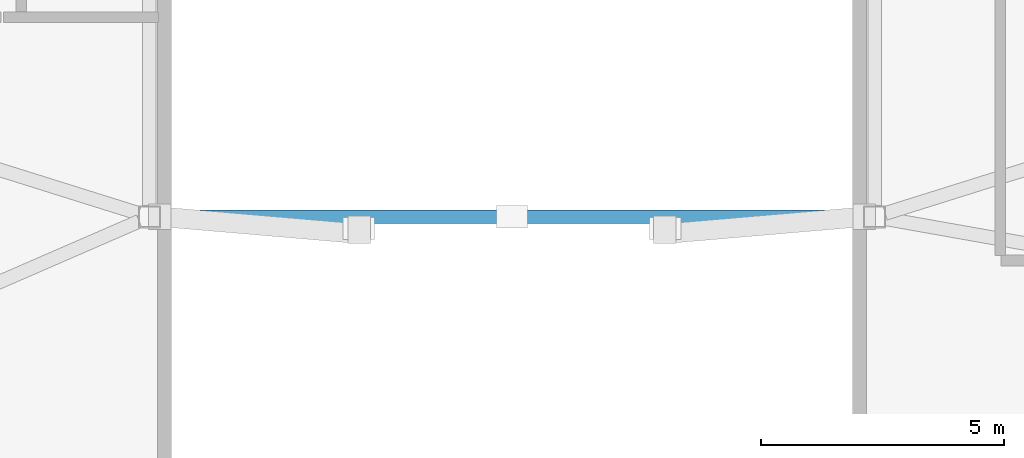
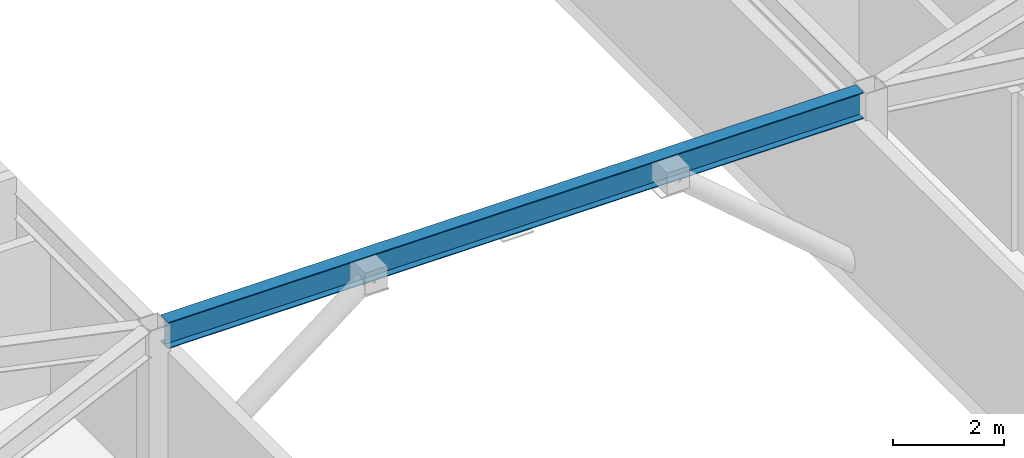
# One storey, part 4 of 16: 1 beam.
"""IFC4 building model written with IfcOpenShell, lengths in metres."""

import ifcopenshell
import ifcopenshell.guid

model = None  # the IFC model being written
_history = None  # IfcOwnerHistory: only IFC2X3 demands one
_inside = {}  # id of a spatial element -> (the spatial element, [elements in it])
_under = {}  # id of a project, library or spatial element -> (it, [spatial elements below it])
_declared = {}  # id of a project -> (the project, [libraries it declares])
_typed = {}  # id of a type object -> (the type object, [elements of that type])
_made_of = {}  # id of a material, layer set ... -> (it, [elements and type objects made of it])


def new_model(schema):
    """Start an empty IFC model of exactly this schema.

    Asked for "IFC4X3", IfcOpenShell would pick the latest addendum, in which some entities
    have other attributes; the version numbers below select the first issue.
    IFC2X3 requires an IfcOwnerHistory on every rooted entity: one is made here for all.
    """
    global model, _history
    if schema == "IFC4X3":
        model = ifcopenshell.file(schema_version=(4, 3, 0, 0))
    else:
        model = ifcopenshell.file(schema=schema)
    _inside.clear()
    _under.clear()
    _declared.clear()
    _typed.clear()
    _made_of.clear()
    _history = None
    if model.schema == "IFC2X3":
        org = make("IfcOrganization", Name="unknown")
        user = make(
            "IfcPersonAndOrganization",
            ThePerson=make("IfcPerson", FamilyName="unknown"),
            TheOrganization=org,
        )
        app = make(
            "IfcApplication",
            ApplicationDeveloper=org,
            Version="unknown",
            ApplicationFullName="unknown",
            ApplicationIdentifier="unknown",
        )
        _history = make(
            "IfcOwnerHistory",
            OwningUser=user,
            OwningApplication=app,
            ChangeAction="ADDED",
            CreationDate=0,
        )
    return model


def make(cls, **values):
    """One entity of the class cls with the attributes given. An attribute that is None is left unset."""
    return model.create_entity(
        cls, **{name: value for name, value in values.items() if value is not None}
    )


def rooted(cls, **values):
    """An entity with a GlobalId (a new one), such as an element, a storey or a relation."""
    return make(cls, GlobalId=ifcopenshell.guid.new(), OwnerHistory=_history, **values)


def si_unit(unit_type, name, prefix=None):
    """IfcSIUnit, for example si_unit("LENGTHUNIT", "METRE", prefix="MILLI")."""
    return make("IfcSIUnit", UnitType=unit_type, Prefix=prefix, Name=name)


def assignment(units):
    """IfcUnitAssignment: the units of a project."""
    return None if units is None else make("IfcUnitAssignment", Units=units)


def point(xyz):
    """IfcCartesianPoint."""
    return None if xyz is None else make("IfcCartesianPoint", Coordinates=xyz)


def direction(xyz):
    """IfcDirection."""
    return None if xyz is None else make("IfcDirection", DirectionRatios=xyz)


def frame(location, z_axis=None, x_axis=None):
    """IfcAxis2Placement3D, a coordinate frame: its origin and axes. An axis left out is left unset."""
    return make(
        "IfcAxis2Placement3D",
        Location=point(location),
        Axis=direction(z_axis),
        RefDirection=direction(x_axis),
    )


def frame_2d(location, x_axis=None):
    """IfcAxis2Placement2D, a coordinate frame in the plane: its origin and x axis."""
    return make(
        "IfcAxis2Placement2D", Location=point(location), RefDirection=direction(x_axis)
    )


def origin():
    """The frame at (0, 0, 0) with its axes left unset."""
    return frame((0.0, 0.0, 0.0))


def origin_2d():
    """The frame at (0, 0) in the plane with its x axis left unset."""
    return frame_2d((0.0, 0.0))


def place(relative_to, where):
    """IfcLocalPlacement: puts the frame where relative to a parent placement (None: the world)."""
    return make(
        "IfcLocalPlacement", PlacementRelTo=relative_to, RelativePlacement=where
    )


def context(
    kind, dimensions, precision=None, world=None, true_north=None, identifier=None
):
    """IfcGeometricRepresentationContext, for example the 3D "Model" context."""
    return make(
        "IfcGeometricRepresentationContext",
        ContextIdentifier=identifier,
        ContextType=kind,
        CoordinateSpaceDimension=dimensions,
        Precision=precision,
        WorldCoordinateSystem=world,
        TrueNorth=true_north,
    )


def subcontext(parent, identifier, kind, view, scale=None):
    """IfcGeometricRepresentationSubContext, for example "Body" below "Model"."""
    return make(
        "IfcGeometricRepresentationSubContext",
        ContextIdentifier=identifier,
        ContextType=kind,
        ParentContext=parent,
        TargetScale=scale,
        TargetView=view,
    )


def project(units=None, contexts=None):
    """IfcProject with its units and contexts."""
    return rooted(
        "IfcProject",
        Name="project",
        RepresentationContexts=contexts,
        UnitsInContext=assignment(units),
    )


def spatial(cls, under=None, at=None, **own):
    """A site, building, storey or space (cls), placed at a placement, below another one or the project."""
    s = rooted(cls, ObjectPlacement=at, **own)
    if under is not None:
        _under.setdefault(under.id(), (under, []))[1].append(s)
    return s


def profile(cls, at=None, kind="AREA", **sizes):
    """A parametric profile (cls). Its sizes go by their IFC names, for example OverallWidth=200.0."""
    return make(cls, ProfileType=kind, Position=at, **sizes)


def i_section(**sizes):
    """IfcIShapeProfileDef."""
    return profile("IfcIShapeProfileDef", **sizes)


def extrude(swept, where, along, depth):
    """IfcExtrudedAreaSolid: the profile swept, set in the frame where, extruded along a direction by depth."""
    return make(
        "IfcExtrudedAreaSolid",
        SweptArea=swept,
        Position=where,
        ExtrudedDirection=direction(along),
        Depth=depth,
    )


def shape(context_of_items, identifier, shape_type, items):
    """IfcShapeRepresentation: the items that make up one representation, for example the "Body"."""
    return make(
        "IfcShapeRepresentation",
        ContextOfItems=context_of_items,
        RepresentationIdentifier=identifier,
        RepresentationType=shape_type,
        Items=items,
    )


def material(Name=None, Category=None):
    """IfcMaterial."""
    return make("IfcMaterial", Name=Name, Category=Category)


def material_profile(
    of_material, cross_section, Name=None, Category=None, Priority=None
):
    """IfcMaterialProfile: a cross section and its material."""
    return make(
        "IfcMaterialProfile",
        Name=Name,
        Material=of_material,
        Profile=cross_section,
        Priority=Priority,
        Category=Category,
    )


def profile_set(profiles, Name=None, composite=None):
    """IfcMaterialProfileSet."""
    return make(
        "IfcMaterialProfileSet",
        Name=Name,
        MaterialProfiles=profiles,
        CompositeProfile=composite,
    )


def made_of(thing, what):
    """Note that an element or type object is made of a material, layer set ...; save() writes the relation."""
    if what is not None:
        _made_of.setdefault(what.id(), (what, []))[1].append(thing)
    return thing


def type_object(cls, material=None, **own):
    """A type object (cls), such as IfcWallType, which elements share."""
    return made_of(rooted(cls, **own), material)


def element(
    cls,
    number,
    at=None,
    inside=None,
    cuts=None,
    type_object=None,
    material=None,
    context=None,
    identifier="Body",
    shape_type=None,
    held_by="IfcProductDefinitionShape",
    body=None,
    shapes=None,
    **own,
):
    """One element of the class cls, such as IfcWall. Its Tag is "e" and its number.

    at: its placement. inside: the storey or other place that contains it. cuts: it is an
    opening in that element (IfcRelVoidsElement). A single representation is given by context,
    identifier, shape_type and body (its items); several are given by shapes. held_by: the class
    of the entity that holds the representations. save() writes the other relations.
    """
    e = rooted(cls, Tag="e%d" % number, ObjectPlacement=at, **own)
    if body is not None:
        shapes = [shape(context, identifier, shape_type, body)]
    if shapes is not None:
        e.Representation = make(held_by, Representations=shapes)
    if inside is not None:
        _inside.setdefault(inside.id(), (inside, []))[1].append(e)
    if cuts is not None:
        rooted(
            "IfcRelVoidsElement", RelatingBuildingElement=cuts, RelatedOpeningElement=e
        )
    if type_object is not None:
        _typed.setdefault(type_object.id(), (type_object, []))[1].append(e)
    return made_of(e, material)


def aggregate(whole, parts):
    """IfcRelAggregates: a whole, such as a stair, and the parts it consists of."""
    return rooted("IfcRelAggregates", RelatingObject=whole, RelatedObjects=parts)


def save(model, path):
    """Write the relations noted so far, then the file.

    IfcRelAggregates (storeys below a building ...), IfcRelContainedInSpatialStructure (elements
    in a storey), IfcRelDefinesByType, IfcRelAssociatesMaterial and IfcRelDeclares: one each for
    every whole, place, type object, material and project.
    """
    for whole, parts in _under.values():
        aggregate(whole, parts)
    for where, things in _inside.values():
        rooted(
            "IfcRelContainedInSpatialStructure",
            RelatedElements=things,
            RelatingStructure=where,
        )
    for kind, things in _typed.values():
        rooted("IfcRelDefinesByType", RelatedObjects=things, RelatingType=kind)
    for what, things in _made_of.values():
        rooted("IfcRelAssociatesMaterial", RelatedObjects=things, RelatingMaterial=what)
    for by, libraries in _declared.values():
        rooted("IfcRelDeclares", RelatingContext=by, RelatedDefinitions=libraries)
    model.write(path)


model = new_model("IFC4")

# Units and contexts
model_context = context("Model", 3, precision=1e-05, world=origin(), true_north=direction((0.0, 1.0)))
body_context = subcontext(model_context, "Body", "Model", "MODEL_VIEW")
ifc_project = project(units=[si_unit("LENGTHUNIT", "METRE"), si_unit("AREAUNIT", "SQUARE_METRE"), si_unit("VOLUMEUNIT", "CUBIC_METRE"), si_unit("PLANEANGLEUNIT", "RADIAN"), si_unit("MASSUNIT", "GRAM", prefix="KILO")], contexts=[model_context])

# Site, building, storey
site_placement = place(None, origin())
site = spatial("IfcSite", under=ifc_project, at=site_placement, CompositionType="ELEMENT")
building_placement = place(site_placement, origin())
building = spatial("IfcBuilding", under=site, at=building_placement, Name="Zuhravey Tower", CompositionType="ELEMENT")
storey_placement = place(building_placement, frame((0.0, 0.0, 370.199951171875)))
storey = spatial("IfcBuildingStorey", under=building, at=storey_placement, Name="L94", CompositionType="ELEMENT", Elevation=370.199951171875)

# Beam
ifc_material = material(Name="Steel SM355", Category="steel")
ifc_material_profile = material_profile(ifc_material, i_section(OverallWidth=0.280029296875, OverallDepth=0.580078125, WebThickness=0.011962890625, FlangeThickness=0.01904296875, at=origin_2d()), Name="H-580x280x12x19")
ifc_profile_set = profile_set([ifc_material_profile], Name="Steel SM355")
beam_type = type_object("IfcBeamType", Name="Perimeter Ring Beam H580x280", PredefinedType="BEAM", material=ifc_profile_set)
beam_placement = place(storey_placement, frame((28.780029296875, 18.0, 3.755126953125), z_axis=(1.0, 0.0, 0.0), x_axis=(0.0, 1.0, 0.0)))
element("IfcBeam", 1, at=beam_placement, inside=storey, type_object=beam_type, Name="L94 Wind-Portal Tie Girder PB4-1", PredefinedType="BEAM", context=body_context, shape_type="SweptSolid", body=[
    extrude(i_section(OverallWidth=0.280029296875, OverallDepth=0.580078125, WebThickness=0.011962890625, FlangeThickness=0.01904296875, at=origin_2d()), origin(), (0.0, 0.0, 1.0), 14.43994140625),
])

save(model, "model.ifc")
